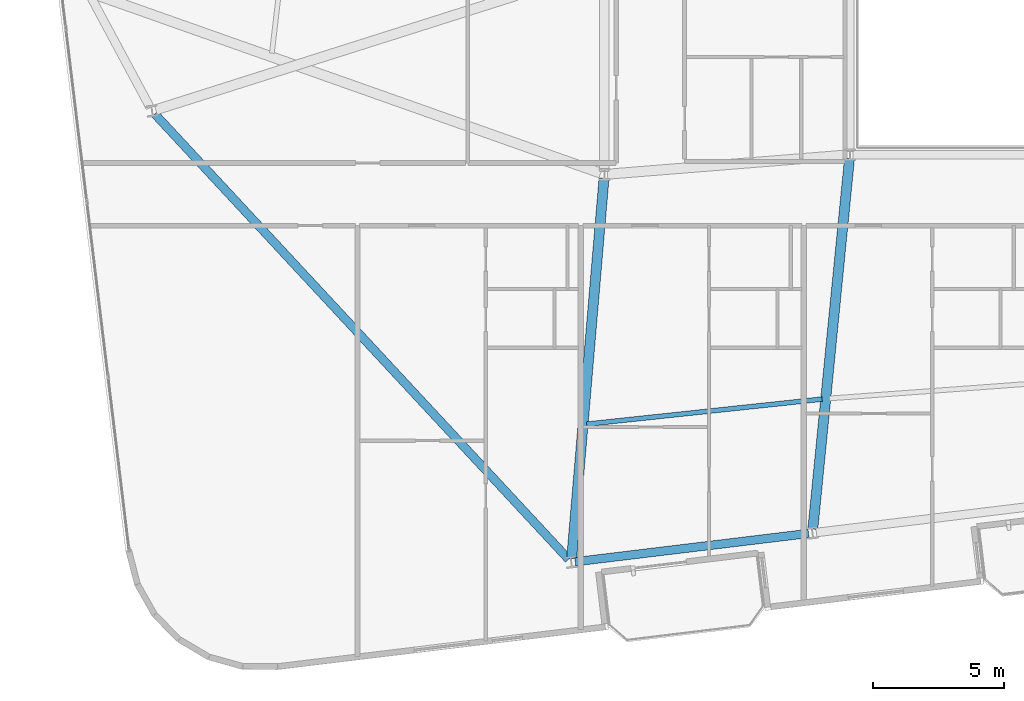
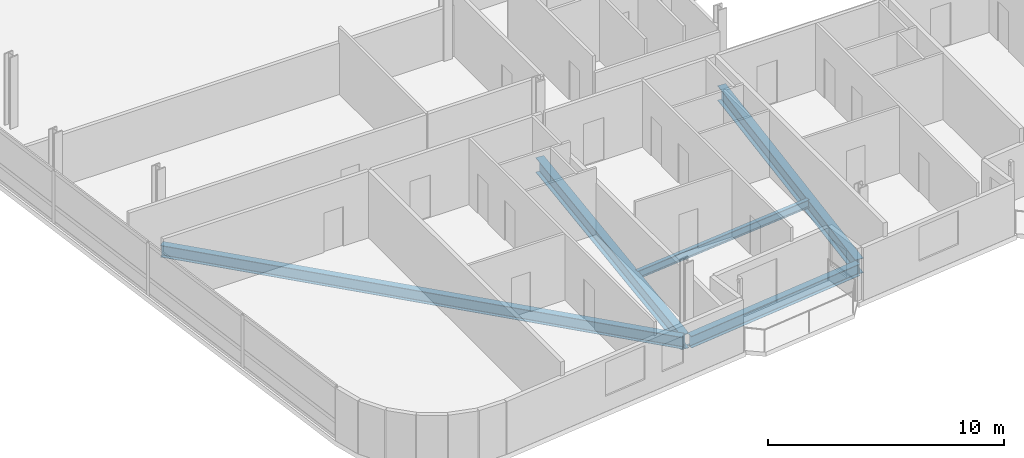
# One storey, part 3 of 23: 5 beams.
"""IFC4 building model written with IfcOpenShell, lengths in metres."""

from ifc_helpers import new_model, si_unit, direction, frame, origin, origin_2d, place, context, subcontext, project, spatial, i_section, extrude, material, material_profile, profile_set, type_object, element, save


model = new_model("IFC4")

# Units and contexts
model_context = context("Model", 3, precision=1e-05, world=origin(), true_north=direction((0.0, 1.0)))
body_context = subcontext(model_context, "Body", "Model", "MODEL_VIEW")
ifc_project = project(units=[si_unit("LENGTHUNIT", "METRE"), si_unit("AREAUNIT", "SQUARE_METRE"), si_unit("VOLUMEUNIT", "CUBIC_METRE"), si_unit("PLANEANGLEUNIT", "RADIAN"), si_unit("MASSUNIT", "GRAM", prefix="KILO")], contexts=[model_context])

# Site, building, storey
site_placement = place(None, origin())
site = spatial("IfcSite", under=ifc_project, at=site_placement, CompositionType="ELEMENT")
building_placement = place(site_placement, origin())
building = spatial("IfcBuilding", under=site, at=building_placement, Name="Varnelok Gate Tower", CompositionType="ELEMENT")
storey_placement = place(building_placement, frame((0.0, 0.0, 193.10009765625)))
storey = spatial("IfcBuildingStorey", under=building, at=storey_placement, Name="L49", CompositionType="ELEMENT", Elevation=193.10009765625)

# Beams
ifc_material = material(Name="Structural Steel ASTM A992 Grade 50", Category="steel")
ifc_material_profile_1 = material_profile(ifc_material, i_section(OverallWidth=0.180908203125, OverallDepth=0.4169921875, WebThickness=0.010986328125, FlangeThickness=0.018310546875, FilletRadius=0.013916015625, at=origin_2d()), Name="W16X57")
ifc_profile_set_1 = profile_set([ifc_material_profile_1], Name="Structural Steel ASTM A992 Grade 50")
beam_type_1 = type_object("IfcBeamType", Name="BM-JST-W16X57", PredefinedType="JOIST", material=ifc_profile_set_1)
beam_1_placement = place(storey_placement, frame((23.728271484375, 9.2900390625, -0.45849609375), z_axis=(0.994377086657, 0.105897164887, 0.0), x_axis=(-0.105897164887, 0.994377086657, 0.0)))
element("IfcBeam", 1, at=beam_1_placement, inside=storey, type_object=beam_type_1, Name="L49 Sector Floor Joist 1", PredefinedType="JOIST", context=body_context, shape_type="SweptSolid", body=[
    extrude(i_section(OverallWidth=0.180908203125, OverallDepth=0.4169921875, WebThickness=0.010986328125, FlangeThickness=0.018310546875, FilletRadius=0.013916015625, at=origin_2d()), origin(), (0.0, 0.0, 1.0), 9.014404296875),
])
ifc_material_profile_2 = material_profile(ifc_material, i_section(OverallWidth=0.381103515625, OverallDepth=0.77294921875, WebThickness=0.0166015625, FlangeThickness=0.027099609375, FilletRadius=0.02197265625, at=origin_2d()), Name="W30X173")
ifc_profile_set_2 = profile_set([ifc_material_profile_2], Name="Structural Steel ASTM A992 Grade 50")
beam_type_2 = type_object("IfcBeamType", Name="BM-PRI-W30X173", PredefinedType="BEAM", material=ifc_profile_set_2)
beam_2_placement = place(storey_placement, frame((24.38720703125, 18.650390625, -0.63671875), z_axis=(-0.08482646823, -0.996395739798, 0.0), x_axis=(0.996395739798, -0.08482646823, 0.0)))
element("IfcBeam", 2, at=beam_2_placement, inside=storey, type_object=beam_type_2, Name="L49 Radial Floor Girder 1", PredefinedType="BEAM", context=body_context, shape_type="SweptSolid", body=[
    extrude(i_section(OverallWidth=0.381103515625, OverallDepth=0.77294921875, WebThickness=0.0166015625, FlangeThickness=0.027099609375, FilletRadius=0.02197265625, at=origin_2d()), origin(), (0.0, 0.0, 1.0), 14.52001953125),
])
beam_3_placement = place(storey_placement, frame((33.735107421875, 19.400634765625, -0.63671875), z_axis=(-0.098420734253, -0.995144893505, 0.0), x_axis=(0.995144893505, -0.098420734253, 0.0)))
element("IfcBeam", 3, at=beam_3_placement, inside=storey, type_object=beam_type_2, Name="L49 Radial Floor Girder 2", PredefinedType="BEAM", context=body_context, shape_type="SweptSolid", body=[
    extrude(i_section(OverallWidth=0.381103515625, OverallDepth=0.77294921875, WebThickness=0.0166015625, FlangeThickness=0.027099609375, FilletRadius=0.02197265625, at=origin_2d()), origin(), (0.0, 0.0, 1.0), 14.174072265625),
])
ifc_material_profile_3 = material_profile(ifc_material, i_section(OverallWidth=0.323974609375, OverallDepth=0.611083984375, WebThickness=0.0126953125, FlangeThickness=0.01904296875, FilletRadius=0.01806640625, at=origin_2d()), Name="W24X104")
ifc_profile_set_3 = profile_set([ifc_material_profile_3], Name="Structural Steel ASTM A992 Grade 50")
beam_type_3 = type_object("IfcBeamType", Name="BM-SPN-W24X104", PredefinedType="SPANDREL", material=ifc_profile_set_3)
beam_4_placement = place(storey_placement, frame((23.29150390625, 4.051025390625, -0.5556640625), z_axis=(0.99273141198, 0.120350918849, 0.0), x_axis=(-0.120350918849, 0.99273141198, 0.0)))
element("IfcBeam", 4, at=beam_4_placement, inside=storey, type_object=beam_type_3, Name="L49 Perimeter Spandrel Beam 1", PredefinedType="SPANDREL", context=body_context, shape_type="SweptSolid", body=[
    extrude(i_section(OverallWidth=0.323974609375, OverallDepth=0.611083984375, WebThickness=0.0126953125, FlangeThickness=0.01904296875, FilletRadius=0.01806640625, at=origin_2d()), origin(), (0.0, 0.0, 1.0), 8.949951171875),
])
beam_5_placement = place(storey_placement, frame((7.27685546875, 21.106201171875, -0.5556640625), z_axis=(0.680728456616, -0.732535847828, 0.0), x_axis=(0.732535847828, 0.680728456616, 0.0)))
element("IfcBeam", 5, at=beam_5_placement, inside=storey, type_object=beam_type_3, Name="L49 Perimeter Spandrel Beam 16", PredefinedType="SPANDREL", context=body_context, shape_type="SweptSolid", body=[
    extrude(i_section(OverallWidth=0.323974609375, OverallDepth=0.611083984375, WebThickness=0.0126953125, FlangeThickness=0.01904296875, FilletRadius=0.01806640625, at=origin_2d()), origin(), (0.0, 0.0, 1.0), 23.156982421875),
])

save(model, "model.ifc")
